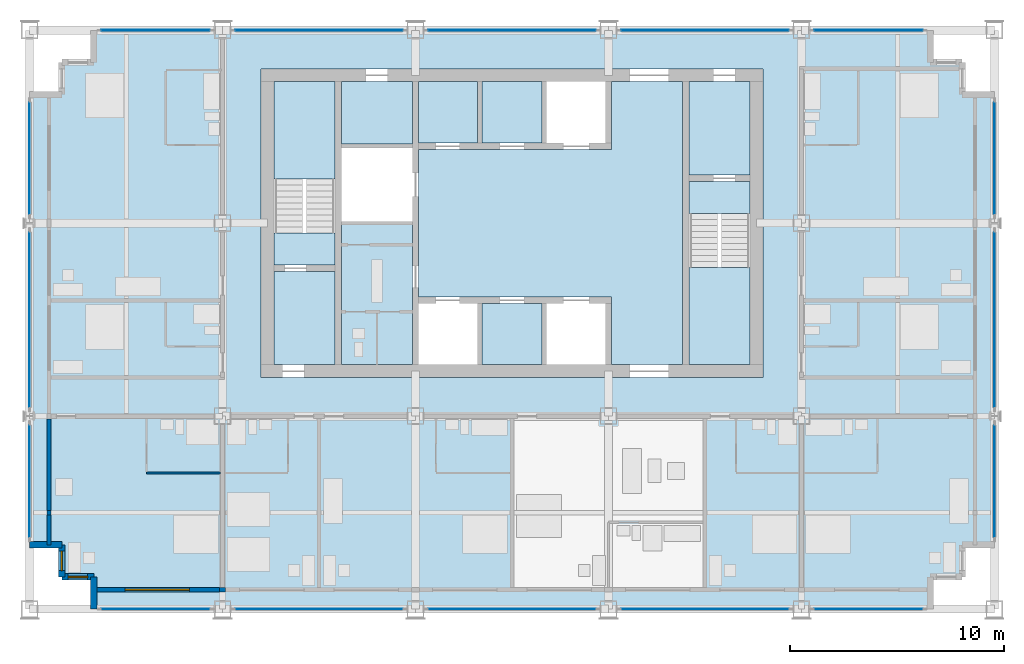
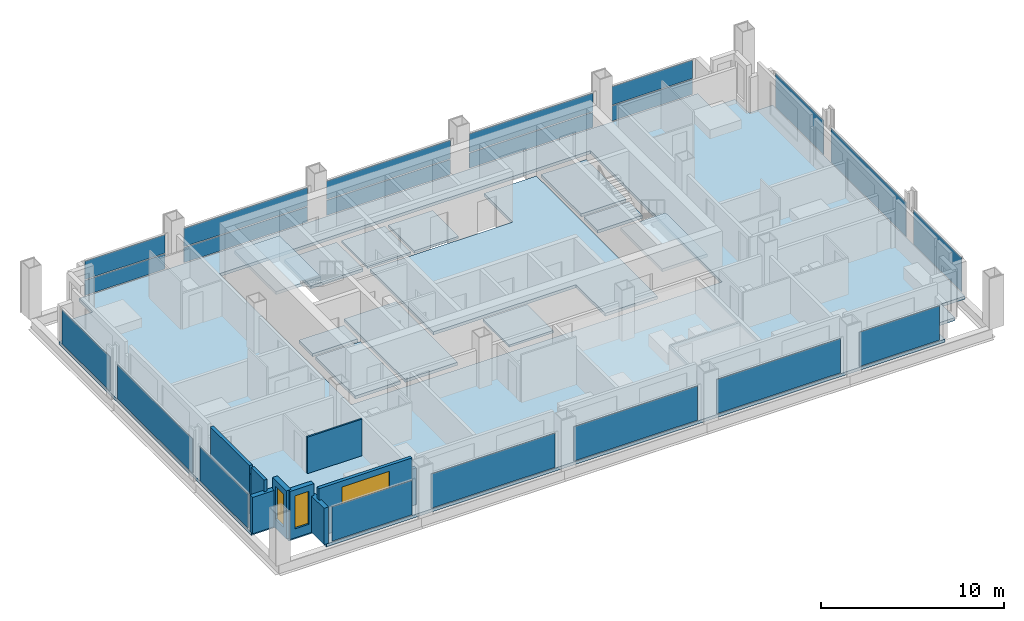
# One storey, part 6 of 13: 21 plates, 13 slabs, 10 walls, 3 windows, 3 openings, 18 elements without a shape of their own.
"""IFC4 building model written with IfcOpenShell, lengths in metres."""

from ifc_helpers import new_model, si_unit, direction, frame, frame_2d, origin, origin_2d, place, context, subcontext, project, spatial, polyline, rectangle, outline, extrude, material, layer, layer_set, type_object, element, fill, aggregate, save


model = new_model("IFC4")

# Units and contexts
model_context = context("Model", 3, precision=1e-05, world=origin(), true_north=direction((0.0, 1.0)))
body_context = subcontext(model_context, "Body", "Model", "MODEL_VIEW")
ifc_project = project(units=[si_unit("LENGTHUNIT", "METRE"), si_unit("AREAUNIT", "SQUARE_METRE"), si_unit("VOLUMEUNIT", "CUBIC_METRE"), si_unit("PLANEANGLEUNIT", "RADIAN"), si_unit("MASSUNIT", "GRAM", prefix="KILO")], contexts=[model_context])

# Site, building, storey
site_placement = place(None, origin())
site = spatial("IfcSite", under=ifc_project, at=site_placement, CompositionType="ELEMENT")
building_placement = place(site_placement, origin())
building = spatial("IfcBuilding", under=site, at=building_placement, Name="Loomwork Tower", CompositionType="ELEMENT")
storey_placement = place(building_placement, frame((0.0, 0.0, 211.39990234375)))
storey = spatial("IfcBuildingStorey", under=building, at=storey_placement, Name="L58", CompositionType="ELEMENT", Elevation=211.39990234375)

# Slabs
ifc_material_1 = material(Name="Concrete 5000 psi (34 MPa) on composite metal deck", Category="concrete")
ifc_layer_1 = layer(ifc_material_1, 0.199951171875)
ifc_layer_set_1 = layer_set([ifc_layer_1], Name="Floor slab 200")
slab_type_1 = type_object("IfcSlabType", Name="Floor slab 200", PredefinedType="FLOOR", material=ifc_layer_set_1)
slab_1_placement = place(storey_placement, frame((0.0, 0.0, -0.199951171875)))
element("IfcSlab", 1, at=slab_1_placement, inside=storey, type_object=slab_type_1, Name="Floor slab L58", PredefinedType="FLOOR", context=body_context, shape_type="SweptSolid", body=[
    extrude(outline(polyline([(3.0, 1.5), (1.5, 1.5), (1.5, 3.0), (0.0, 3.0), (0.0, 24.0), (1.5, 24.0), (1.5, 25.5), (3.0, 25.5), (3.0, 27.0), (42.0, 27.0), (42.0, 25.5), (43.5, 25.5), (43.5, 24.0), (45.0, 24.0), (45.0, 3.0), (43.5, 3.0), (43.5, 1.5), (42.0, 1.5), (42.0, 0.0), (3.0, 0.0), (3.0, 1.5)]), holes=[polyline([(10.800048828125, 11.39990234375), (10.800048828125, 11.39990234375), (10.800048828125, 10.800048828125), (34.199951171875, 10.800048828125), (34.199951171875, 11.39990234375), (34.199951171875, 11.39990234375), (34.199951171875, 24.60009765625), (34.199951171875, 25.199951171875), (10.800048828125, 25.199951171875), (10.800048828125, 24.60009765625), (10.800048828125, 11.39990234375)])]), origin(), (0.0, 0.0, 1.0), 0.199951171875),
])
slab_2_placement = place(storey_placement, frame((0.0, 0.0, -0.199951171875)))
element("IfcSlab", 2, at=slab_2_placement, inside=storey, type_object=slab_type_1, Name="Floor slab L58", PredefinedType="FLOOR", context=body_context, shape_type="SweptSolid", body=[
    extrude(outline(polyline([(30.449951171875, 24.60009765625), (30.449951171875, 11.39990234375), (27.14990234375, 11.39990234375), (27.14990234375, 14.25), (27.14990234375, 14.550048828125), (18.14990234375, 14.550048828125), (18.14990234375, 21.449951171875), (27.14990234375, 21.449951171875), (27.14990234375, 21.75), (27.14990234375, 24.60009765625), (30.449951171875, 24.60009765625)])), origin(), (0.0, 0.0, 1.0), 0.199951171875),
])
slab_3_placement = place(storey_placement, frame((0.0, 0.0, -0.199951171875)))
element("IfcSlab", 3, at=slab_3_placement, inside=storey, type_object=slab_type_1, Name="Floor slab L58", PredefinedType="FLOOR", context=body_context, shape_type="SweptSolid", body=[
    extrude(outline(polyline([(14.550048828125, 11.39990234375), (14.550048828125, 18.074951171875), (17.85009765625, 18.074951171875), (17.85009765625, 11.39990234375), (14.550048828125, 11.39990234375)])), origin(), (0.0, 0.0, 1.0), 0.199951171875),
])
slab_4_placement = place(storey_placement, frame((0.0, 0.0, -0.199951171875)))
element("IfcSlab", 4, at=slab_4_placement, inside=storey, type_object=slab_type_1, Name="Floor slab L58", PredefinedType="FLOOR", context=body_context, shape_type="SweptSolid", body=[
    extrude(outline(polyline([(33.60009765625, 20.25), (30.75, 20.25), (30.75, 24.60009765625), (33.60009765625, 24.60009765625), (33.60009765625, 20.25)])), origin(), (0.0, 0.0, 1.0), 0.199951171875),
])
slab_5_placement = place(storey_placement, frame((0.0, 0.0, -0.199951171875)))
element("IfcSlab", 5, at=slab_5_placement, inside=storey, type_object=slab_type_1, Name="Floor slab L58", PredefinedType="FLOOR", context=body_context, shape_type="SweptSolid", body=[
    extrude(outline(polyline([(14.25, 15.75), (14.25, 11.39990234375), (11.39990234375, 11.39990234375), (11.39990234375, 15.75), (14.25, 15.75)])), origin(), (0.0, 0.0, 1.0), 0.199951171875),
])
slab_6_placement = place(storey_placement, frame((0.0, 0.0, -0.199951171875)))
element("IfcSlab", 6, at=slab_6_placement, inside=storey, type_object=slab_type_1, Name="Floor slab L58", PredefinedType="FLOOR", context=body_context, shape_type="SweptSolid", body=[
    extrude(outline(polyline([(14.550048828125, 21.699951171875), (14.550048828125, 24.60009765625), (17.85009765625, 24.60009765625), (17.85009765625, 21.699951171875), (14.550048828125, 21.699951171875)])), origin(), (0.0, 0.0, 1.0), 0.199951171875),
])

# Curtain wall, plate
ifc_material_2 = material(Name="Aluminium curtain wall frame", Category="aluminium")
curtain_wall_type_1 = type_object("IfcCurtainWallType", Name="Outer skin glazing hotel", PredefinedType="NOTDEFINED", material=ifc_material_2)
curtain_wall_1_placement = place(storey_placement, origin())
curtain_wall_1 = element("IfcCurtainWall", 7, at=curtain_wall_1_placement, inside=storey, type_object=curtain_wall_type_1, Name="Outer skin glazing hotel cw/S-0", PredefinedType="NOTDEFINED")
ifc_material_3 = material(Name="Clear laminated glass", Category="glass")
ifc_layer_2 = layer(ifc_material_3, 0.02392578125)
ifc_layer_set_2 = layer_set([ifc_layer_2], Name="Outer skin glazing hotel panel")
plate_type_1 = type_object("IfcPlateType", Name="Outer skin glazing hotel panel", PredefinedType="CURTAIN_PANEL", material=ifc_layer_set_2)
plate_1_placement = place(storey_placement, frame((5.875, 0.0, 0.06494140625), z_axis=(0.0, 0.0, 1.0), x_axis=(1.0, 0.0, 0.0)))
plate_1 = element("IfcPlate", 8, at=plate_1_placement, type_object=plate_type_1, Name="CW1 panel 1.1", PredefinedType="CURTAIN_PANEL", context=body_context, shape_type="SweptSolid", body=[
    extrude(rectangle(XDim=5.050048828125, YDim=0.02392578125, at=origin_2d()), origin(), (0.0, 0.0, 1.0), 2.290283203125),
])
aggregate(curtain_wall_1, [plate_1])

curtain_wall_2_placement = place(storey_placement, origin())
curtain_wall_2 = element("IfcCurtainWall", 9, at=curtain_wall_2_placement, inside=storey, type_object=curtain_wall_type_1, Name="Outer skin glazing hotel cw/S-9", PredefinedType="NOTDEFINED")
plate_2_placement = place(storey_placement, frame((13.5, 0.0, 0.06494140625), z_axis=(0.0, 0.0, 1.0), x_axis=(1.0, 0.0, 0.0)))
plate_2 = element("IfcPlate", 10, at=plate_2_placement, type_object=plate_type_1, Name="CW1 panel 1.1", PredefinedType="CURTAIN_PANEL", context=body_context, shape_type="SweptSolid", body=[
    extrude(rectangle(XDim=7.800048828125, YDim=0.02392578125, at=origin_2d()), origin(), (0.0, 0.0, 1.0), 2.290283203125),
])
aggregate(curtain_wall_2, [plate_2])

curtain_wall_3_placement = place(storey_placement, origin())
curtain_wall_3 = element("IfcCurtainWall", 11, at=curtain_wall_3_placement, inside=storey, type_object=curtain_wall_type_1, Name="Outer skin glazing hotel cw/S-18", PredefinedType="NOTDEFINED")
plate_3_placement = place(storey_placement, frame((22.5, 0.0, 0.06494140625), z_axis=(0.0, 0.0, 1.0), x_axis=(1.0, 0.0, 0.0)))
plate_3 = element("IfcPlate", 12, at=plate_3_placement, type_object=plate_type_1, Name="CW1 panel 1.1", PredefinedType="CURTAIN_PANEL", context=body_context, shape_type="SweptSolid", body=[
    extrude(rectangle(XDim=7.800048828125, YDim=0.02392578125, at=origin_2d()), origin(), (0.0, 0.0, 1.0), 2.290283203125),
])
aggregate(curtain_wall_3, [plate_3])

curtain_wall_4_placement = place(storey_placement, origin())
curtain_wall_4 = element("IfcCurtainWall", 13, at=curtain_wall_4_placement, inside=storey, type_object=curtain_wall_type_1, Name="Outer skin glazing hotel cw/S-27", PredefinedType="NOTDEFINED")
plate_4_placement = place(storey_placement, frame((31.5, 0.0, 0.06494140625), z_axis=(0.0, 0.0, 1.0), x_axis=(1.0, 0.0, 0.0)))
plate_4 = element("IfcPlate", 14, at=plate_4_placement, type_object=plate_type_1, Name="CW1 panel 1.1", PredefinedType="CURTAIN_PANEL", context=body_context, shape_type="SweptSolid", body=[
    extrude(rectangle(XDim=7.800048828125, YDim=0.02392578125, at=origin_2d()), origin(), (0.0, 0.0, 1.0), 2.290283203125),
])
aggregate(curtain_wall_4, [plate_4])

curtain_wall_5_placement = place(storey_placement, origin())
curtain_wall_5 = element("IfcCurtainWall", 15, at=curtain_wall_5_placement, inside=storey, type_object=curtain_wall_type_1, Name="Outer skin glazing hotel cw/S-36", PredefinedType="NOTDEFINED")
plate_5_placement = place(storey_placement, frame((39.125, 0.0, 0.06494140625), z_axis=(0.0, 0.0, 1.0), x_axis=(1.0, 0.0, 0.0)))
plate_5 = element("IfcPlate", 16, at=plate_5_placement, type_object=plate_type_1, Name="CW1 panel 1.1", PredefinedType="CURTAIN_PANEL", context=body_context, shape_type="SweptSolid", body=[
    extrude(rectangle(XDim=5.050048828125, YDim=0.02392578125, at=origin_2d()), origin(), (0.0, 0.0, 1.0), 2.290283203125),
])
aggregate(curtain_wall_5, [plate_5])

curtain_wall_6_placement = place(storey_placement, origin())
curtain_wall_6 = element("IfcCurtainWall", 17, at=curtain_wall_6_placement, inside=storey, type_object=curtain_wall_type_1, Name="Outer skin glazing hotel cw/W-0", PredefinedType="NOTDEFINED")
plate_6_placement = place(storey_placement, frame((0.0, 5.96826171875, 0.06494140625), z_axis=(0.0, 0.0, 1.0), x_axis=(0.0, -1.0, 0.0)))
plate_6 = element("IfcPlate", 18, at=plate_6_placement, type_object=plate_type_1, Name="CW1 panel 1.1", PredefinedType="CURTAIN_PANEL", context=body_context, shape_type="SweptSolid", body=[
    extrude(rectangle(XDim=5.236572265625, YDim=0.02392578125, at=origin_2d()), origin(), (0.0, 0.0, 1.0), 2.290283203125),
])
aggregate(curtain_wall_6, [plate_6])

curtain_wall_7_placement = place(storey_placement, origin())
curtain_wall_7 = element("IfcCurtainWall", 19, at=curtain_wall_7_placement, inside=storey, type_object=curtain_wall_type_1, Name="Outer skin glazing hotel cw/W-9", PredefinedType="NOTDEFINED")
plate_7_placement = place(storey_placement, frame((0.0, 13.5, 0.06494140625), z_axis=(0.0, 0.0, 1.0), x_axis=(0.0, -1.0, 0.0)))
plate_7 = element("IfcPlate", 20, at=plate_7_placement, type_object=plate_type_1, Name="CW1 panel 1.1", PredefinedType="CURTAIN_PANEL", context=body_context, shape_type="SweptSolid", body=[
    extrude(rectangle(XDim=8.173095703125, YDim=0.02392578125, at=origin_2d()), origin(), (0.0, 0.0, 1.0), 2.290283203125),
])
aggregate(curtain_wall_7, [plate_7])

curtain_wall_8_placement = place(storey_placement, origin())
curtain_wall_8 = element("IfcCurtainWall", 21, at=curtain_wall_8_placement, inside=storey, type_object=curtain_wall_type_1, Name="Outer skin glazing hotel cw/W-18", PredefinedType="NOTDEFINED")
plate_8_placement = place(storey_placement, frame((0.0, 21.03173828125, 0.06494140625), z_axis=(0.0, 0.0, 1.0), x_axis=(0.0, -1.0, 0.0)))
plate_8 = element("IfcPlate", 22, at=plate_8_placement, type_object=plate_type_1, Name="CW1 panel 1.1", PredefinedType="CURTAIN_PANEL", context=body_context, shape_type="SweptSolid", body=[
    extrude(rectangle(XDim=5.236572265625, YDim=0.02392578125, at=origin_2d()), origin(), (0.0, 0.0, 1.0), 2.290283203125),
])
aggregate(curtain_wall_8, [plate_8])

curtain_wall_9_placement = place(storey_placement, origin())
curtain_wall_9 = element("IfcCurtainWall", 23, at=curtain_wall_9_placement, inside=storey, type_object=curtain_wall_type_1, Name="Outer skin glazing hotel cw/E-0", PredefinedType="NOTDEFINED")
plate_9_placement = place(storey_placement, frame((45.0, 5.96826171875, 0.06494140625), z_axis=(0.0, 0.0, 1.0), x_axis=(0.0, 1.0, 0.0)))
plate_9 = element("IfcPlate", 24, at=plate_9_placement, type_object=plate_type_1, Name="CW1 panel 1.1", PredefinedType="CURTAIN_PANEL", context=body_context, shape_type="SweptSolid", body=[
    extrude(rectangle(XDim=5.236572265625, YDim=0.02392578125, at=origin_2d()), origin(), (0.0, 0.0, 1.0), 2.290283203125),
])
aggregate(curtain_wall_9, [plate_9])

curtain_wall_10_placement = place(storey_placement, origin())
curtain_wall_10 = element("IfcCurtainWall", 25, at=curtain_wall_10_placement, inside=storey, type_object=curtain_wall_type_1, Name="Outer skin glazing hotel cw/E-9", PredefinedType="NOTDEFINED")
plate_10_placement = place(storey_placement, frame((45.0, 13.5, 0.06494140625), z_axis=(0.0, 0.0, 1.0), x_axis=(0.0, 1.0, 0.0)))
plate_10 = element("IfcPlate", 26, at=plate_10_placement, type_object=plate_type_1, Name="CW1 panel 1.1", PredefinedType="CURTAIN_PANEL", context=body_context, shape_type="SweptSolid", body=[
    extrude(rectangle(XDim=8.173095703125, YDim=0.02392578125, at=origin_2d()), origin(), (0.0, 0.0, 1.0), 2.290283203125),
])
aggregate(curtain_wall_10, [plate_10])

curtain_wall_11_placement = place(storey_placement, origin())
curtain_wall_11 = element("IfcCurtainWall", 27, at=curtain_wall_11_placement, inside=storey, type_object=curtain_wall_type_1, Name="Outer skin glazing hotel cw/E-18", PredefinedType="NOTDEFINED")
plate_11_placement = place(storey_placement, frame((45.0, 21.03173828125, 0.06494140625), z_axis=(0.0, 0.0, 1.0), x_axis=(0.0, 1.0, 0.0)))
plate_11 = element("IfcPlate", 28, at=plate_11_placement, type_object=plate_type_1, Name="CW1 panel 1.1", PredefinedType="CURTAIN_PANEL", context=body_context, shape_type="SweptSolid", body=[
    extrude(rectangle(XDim=5.236572265625, YDim=0.02392578125, at=origin_2d()), origin(), (0.0, 0.0, 1.0), 2.290283203125),
])
aggregate(curtain_wall_11, [plate_11])

# Slabs
ifc_material_4 = material(Name="Concrete 5000 psi (34 MPa) on composite metal deck", Category="concrete")
ifc_layer_3 = layer(ifc_material_4, 0.14990234375)
ifc_layer_set_3 = layer_set([ifc_layer_3], Name="Shaft infill floor 150")
slab_type_2 = type_object("IfcSlabType", Name="Shaft infill floor 150", PredefinedType="FLOOR", material=ifc_layer_set_3)
slab_7_placement = place(storey_placement, frame((0.0, 0.0, -0.14990234375)))
element("IfcSlab", 29, at=slab_7_placement, inside=storey, type_object=slab_type_2, Name="Shaft infill floor LS1 L58", PredefinedType="FLOOR", context=body_context, shape_type="SweptSolid", body=[
    extrude(outline(polyline([(18.14990234375, 21.75), (20.89990234375, 21.75), (20.89990234375, 24.60009765625), (18.14990234375, 24.60009765625), (18.14990234375, 21.75)])), origin(), (0.0, 0.0, 1.0), 0.14990234375),
])
slab_8_placement = place(storey_placement, frame((0.0, 0.0, -0.14990234375)))
element("IfcSlab", 30, at=slab_8_placement, inside=storey, type_object=slab_type_2, Name="Shaft infill floor LS2 L58", PredefinedType="FLOOR", context=body_context, shape_type="SweptSolid", body=[
    extrude(outline(polyline([(21.10009765625, 21.75), (23.89990234375, 21.75), (23.89990234375, 24.60009765625), (21.10009765625, 24.60009765625), (21.10009765625, 21.75)])), origin(), (0.0, 0.0, 1.0), 0.14990234375),
])
slab_9_placement = place(storey_placement, frame((0.0, 0.0, -0.14990234375)))
element("IfcSlab", 31, at=slab_9_placement, inside=storey, type_object=slab_type_2, Name="Shaft infill floor S2 L58", PredefinedType="FLOOR", context=body_context, shape_type="SweptSolid", body=[
    extrude(outline(polyline([(21.10009765625, 11.39990234375), (23.89990234375, 11.39990234375), (23.89990234375, 14.25), (21.10009765625, 14.25), (21.10009765625, 11.39990234375)])), origin(), (0.0, 0.0, 1.0), 0.14990234375),
])

# Curtain wall, plates
ifc_material_5 = material(Name="Aluminium curtain wall frame", Category="aluminium")
curtain_wall_type_2 = type_object("IfcCurtainWallType", Name="Single skin glazing corridor", PredefinedType="NOTDEFINED", material=ifc_material_5)
curtain_wall_12_placement = place(storey_placement, origin())
curtain_wall_12 = element("IfcCurtainWall", 32, at=curtain_wall_12_placement, inside=storey, type_object=curtain_wall_type_2, Name="Single skin glazing corridor cw/N-0", PredefinedType="NOTDEFINED")
ifc_material_6 = material(Name="Clear insulated glass", Category="glass")
ifc_layer_4 = layer(ifc_material_6, 0.031982421875)
ifc_layer_set_4 = layer_set([ifc_layer_4], Name="Single skin glazing corridor panel")
plate_type_2 = type_object("IfcPlateType", Name="Single skin glazing corridor panel", PredefinedType="CURTAIN_PANEL", material=ifc_layer_set_4)
plate_12_placement = place(storey_placement, frame((5.875, 27.0, 0.065185546875), z_axis=(0.0, 0.0, 1.0), x_axis=(-1.0, 0.0, 0.0)))
plate_12 = element("IfcPlate", 33, at=plate_12_placement, type_object=plate_type_2, Name="CW3 panel 1.1", PredefinedType="CURTAIN_PANEL", context=body_context, shape_type="SweptSolid", body=[
    extrude(rectangle(XDim=5.050048828125, YDim=0.031982421875, at=origin_2d()), origin(), (0.0, 0.0, 1.0), 1.00244140625),
])
plate_13_placement = place(storey_placement, frame((5.875, 27.0, 1.132568359375), z_axis=(0.0, 0.0, 1.0), x_axis=(-1.0, 0.0, 0.0)))
plate_13 = element("IfcPlate", 34, at=plate_13_placement, type_object=plate_type_2, Name="CW3 panel 1.2", PredefinedType="CURTAIN_PANEL", context=body_context, shape_type="SweptSolid", body=[
    extrude(rectangle(XDim=5.050048828125, YDim=0.031982421875, at=origin_2d()), origin(), (0.0, 0.0, 1.0), 1.22265625),
])
aggregate(curtain_wall_12, [plate_12, plate_13])

curtain_wall_13_placement = place(storey_placement, origin())
curtain_wall_13 = element("IfcCurtainWall", 35, at=curtain_wall_13_placement, inside=storey, type_object=curtain_wall_type_2, Name="Single skin glazing corridor cw/N-9", PredefinedType="NOTDEFINED")
plate_14_placement = place(storey_placement, frame((13.5, 27.0, 0.065185546875), z_axis=(0.0, 0.0, 1.0), x_axis=(-1.0, 0.0, 0.0)))
plate_14 = element("IfcPlate", 36, at=plate_14_placement, type_object=plate_type_2, Name="CW3 panel 1.1", PredefinedType="CURTAIN_PANEL", context=body_context, shape_type="SweptSolid", body=[
    extrude(rectangle(XDim=7.800048828125, YDim=0.031982421875, at=origin_2d()), origin(), (0.0, 0.0, 1.0), 1.00244140625),
])
plate_15_placement = place(storey_placement, frame((13.5, 27.0, 1.132568359375), z_axis=(0.0, 0.0, 1.0), x_axis=(-1.0, 0.0, 0.0)))
plate_15 = element("IfcPlate", 37, at=plate_15_placement, type_object=plate_type_2, Name="CW3 panel 1.2", PredefinedType="CURTAIN_PANEL", context=body_context, shape_type="SweptSolid", body=[
    extrude(rectangle(XDim=7.800048828125, YDim=0.031982421875, at=origin_2d()), origin(), (0.0, 0.0, 1.0), 1.22265625),
])
aggregate(curtain_wall_13, [plate_14, plate_15])

curtain_wall_14_placement = place(storey_placement, origin())
curtain_wall_14 = element("IfcCurtainWall", 38, at=curtain_wall_14_placement, inside=storey, type_object=curtain_wall_type_2, Name="Single skin glazing corridor cw/N-18", PredefinedType="NOTDEFINED")
plate_16_placement = place(storey_placement, frame((22.5, 27.0, 0.065185546875), z_axis=(0.0, 0.0, 1.0), x_axis=(-1.0, 0.0, 0.0)))
plate_16 = element("IfcPlate", 39, at=plate_16_placement, type_object=plate_type_2, Name="CW3 panel 1.1", PredefinedType="CURTAIN_PANEL", context=body_context, shape_type="SweptSolid", body=[
    extrude(rectangle(XDim=7.800048828125, YDim=0.031982421875, at=origin_2d()), origin(), (0.0, 0.0, 1.0), 1.00244140625),
])
plate_17_placement = place(storey_placement, frame((22.5, 27.0, 1.132568359375), z_axis=(0.0, 0.0, 1.0), x_axis=(-1.0, 0.0, 0.0)))
plate_17 = element("IfcPlate", 40, at=plate_17_placement, type_object=plate_type_2, Name="CW3 panel 1.2", PredefinedType="CURTAIN_PANEL", context=body_context, shape_type="SweptSolid", body=[
    extrude(rectangle(XDim=7.800048828125, YDim=0.031982421875, at=origin_2d()), origin(), (0.0, 0.0, 1.0), 1.22265625),
])
aggregate(curtain_wall_14, [plate_16, plate_17])

curtain_wall_15_placement = place(storey_placement, origin())
curtain_wall_15 = element("IfcCurtainWall", 41, at=curtain_wall_15_placement, inside=storey, type_object=curtain_wall_type_2, Name="Single skin glazing corridor cw/N-27", PredefinedType="NOTDEFINED")
plate_18_placement = place(storey_placement, frame((31.5, 27.0, 0.065185546875), z_axis=(0.0, 0.0, 1.0), x_axis=(-1.0, 0.0, 0.0)))
plate_18 = element("IfcPlate", 42, at=plate_18_placement, type_object=plate_type_2, Name="CW3 panel 1.1", PredefinedType="CURTAIN_PANEL", context=body_context, shape_type="SweptSolid", body=[
    extrude(rectangle(XDim=7.800048828125, YDim=0.031982421875, at=origin_2d()), origin(), (0.0, 0.0, 1.0), 1.00244140625),
])
plate_19_placement = place(storey_placement, frame((31.5, 27.0, 1.132568359375), z_axis=(0.0, 0.0, 1.0), x_axis=(-1.0, 0.0, 0.0)))
plate_19 = element("IfcPlate", 43, at=plate_19_placement, type_object=plate_type_2, Name="CW3 panel 1.2", PredefinedType="CURTAIN_PANEL", context=body_context, shape_type="SweptSolid", body=[
    extrude(rectangle(XDim=7.800048828125, YDim=0.031982421875, at=origin_2d()), origin(), (0.0, 0.0, 1.0), 1.22265625),
])
aggregate(curtain_wall_15, [plate_18, plate_19])

curtain_wall_16_placement = place(storey_placement, origin())
curtain_wall_16 = element("IfcCurtainWall", 44, at=curtain_wall_16_placement, inside=storey, type_object=curtain_wall_type_2, Name="Single skin glazing corridor cw/N-36", PredefinedType="NOTDEFINED")
plate_20_placement = place(storey_placement, frame((39.125, 27.0, 0.065185546875), z_axis=(0.0, 0.0, 1.0), x_axis=(-1.0, 0.0, 0.0)))
plate_20 = element("IfcPlate", 45, at=plate_20_placement, type_object=plate_type_2, Name="CW3 panel 1.1", PredefinedType="CURTAIN_PANEL", context=body_context, shape_type="SweptSolid", body=[
    extrude(rectangle(XDim=5.050048828125, YDim=0.031982421875, at=origin_2d()), origin(), (0.0, 0.0, 1.0), 1.00244140625),
])
plate_21_placement = place(storey_placement, frame((39.125, 27.0, 1.132568359375), z_axis=(0.0, 0.0, 1.0), x_axis=(-1.0, 0.0, 0.0)))
plate_21 = element("IfcPlate", 46, at=plate_21_placement, type_object=plate_type_2, Name="CW3 panel 1.2", PredefinedType="CURTAIN_PANEL", context=body_context, shape_type="SweptSolid", body=[
    extrude(rectangle(XDim=5.050048828125, YDim=0.031982421875, at=origin_2d()), origin(), (0.0, 0.0, 1.0), 1.22265625),
])
aggregate(curtain_wall_16, [plate_20, plate_21])

# Stair, slabs
ifc_material_7 = material(Name="Concrete 5000 psi (34 MPa) precast stair", Category="concrete")
stair_type_1 = type_object("IfcStairType", Name="Stair ST-A 20 risers 2850 wide", PredefinedType="HALF_TURN_STAIR", material=ifc_material_7)
stair_1_placement = place(storey_placement, origin())
stair_1 = element("IfcStair", 47, at=stair_1_placement, inside=storey, type_object=stair_type_1, Name="Stair A L58", PredefinedType="HALF_TURN_STAIR")
ifc_material_8 = material(Name="Concrete 5000 psi (34 MPa)", Category="concrete")
ifc_layer_5 = layer(ifc_material_8, 0.199951171875)
ifc_layer_set_5 = layer_set([ifc_layer_5], Name="Stair landing 200")
slab_type_3 = type_object("IfcSlabType", Name="Stair landing 200", PredefinedType="LANDING", material=ifc_layer_set_5)
slab_10_placement = place(storey_placement, frame((0.0, 0.0, -0.199951171875)))
slab_10 = element("IfcSlab", 48, at=slab_10_placement, type_object=slab_type_3, Name="ST-A landing 1", PredefinedType="LANDING", context=body_context, shape_type="SweptSolid", body=[
    extrude(outline(polyline([(11.39990234375, 16.050048828125), (14.25, 16.050048828125), (14.25, 17.550048828125), (11.39990234375, 17.550048828125), (11.39990234375, 16.050048828125)])), origin(), (0.0, 0.0, 1.0), 0.199951171875),
])
slab_11_placement = place(storey_placement, frame((0.0, 0.0, 1.5)))
slab_11 = element("IfcSlab", 49, at=slab_11_placement, type_object=slab_type_3, Name="ST-A landing 2", PredefinedType="LANDING", context=body_context, shape_type="SweptSolid", body=[
    extrude(outline(polyline([(11.39990234375, 20.070068359375), (14.25, 20.070068359375), (14.25, 24.60009765625), (11.39990234375, 24.60009765625), (11.39990234375, 20.070068359375)])), origin(), (0.0, 0.0, 1.0), 0.2001953125),
])
aggregate(stair_1, [slab_10, slab_11])

ifc_material_9 = material(Name="Concrete 5000 psi (34 MPa) precast stair", Category="concrete")
stair_type_2 = type_object("IfcStairType", Name="Stair ST-B 20 risers 2850 wide", PredefinedType="HALF_TURN_STAIR", material=ifc_material_9)
stair_2_placement = place(storey_placement, origin())
stair_2 = element("IfcStair", 50, at=stair_2_placement, inside=storey, type_object=stair_type_2, Name="Stair B L58", PredefinedType="HALF_TURN_STAIR")
slab_12_placement = place(storey_placement, frame((0.0, 0.0, -0.199951171875)))
slab_12 = element("IfcSlab", 51, at=slab_12_placement, type_object=slab_type_3, Name="ST-B landing 1", PredefinedType="LANDING", context=body_context, shape_type="SweptSolid", body=[
    extrude(outline(polyline([(30.75, 18.449951171875), (33.60009765625, 18.449951171875), (33.60009765625, 19.949951171875), (30.75, 19.949951171875), (30.75, 18.449951171875)])), origin(), (0.0, 0.0, 1.0), 0.199951171875),
])
slab_13_placement = place(storey_placement, frame((0.0, 0.0, 1.5)))
slab_13 = element("IfcSlab", 52, at=slab_13_placement, type_object=slab_type_3, Name="ST-B landing 2", PredefinedType="LANDING", context=body_context, shape_type="SweptSolid", body=[
    extrude(outline(polyline([(30.75, 11.39990234375), (33.60009765625, 11.39990234375), (33.60009765625, 15.929931640625), (30.75, 15.929931640625), (30.75, 11.39990234375)])), origin(), (0.0, 0.0, 1.0), 0.2001953125),
])
aggregate(stair_2, [slab_12, slab_13])

# Wall
ifc_material_10 = material(Name="Cement board on steel studs", Category="steel")
ifc_layer_6 = layer(ifc_material_10, 0.10009765625)
ifc_layer_set_6 = layer_set([ifc_layer_6], Name="En-suite partition 100")
wall_type_1 = type_object("IfcWallType", Name="En-suite partition 100", PredefinedType="PARTITIONING", material=ifc_layer_set_6)
wall_1_placement = place(storey_placement, frame((5.449951171875, 6.35009765625, 0.0), z_axis=(0.0, 0.0, 1.0), x_axis=(1.0, 0.0, 0.0)))
element("IfcWall", 53, at=wall_1_placement, inside=storey, type_object=wall_type_1, Name="En-suite wall L58 room 1", PredefinedType="PARTITIONING", context=body_context, shape_type="SweptSolid", body=[
    extrude(rectangle(XDim=3.449951171875, YDim=0.10009765625, at=frame_2d((1.72509765625, 0.0))), origin(), (0.0, 0.0, 1.0), 2.43798828125),
])

# Wall, opening, window
ifc_material_11 = material(Name="Insulated steel stud wall with gypsum lining", Category="steel")
ifc_layer_7 = layer(ifc_material_11, 0.199951171875)
ifc_layer_set_7 = layer_set([ifc_layer_7], Name="Inner skin wall 200")
wall_type_2 = type_object("IfcWallType", Name="Inner skin wall 200", PredefinedType="SOLIDWALL", material=ifc_layer_set_7)
wall_2_placement = place(storey_placement, frame((3.0, 0.89990234375, 0.0), z_axis=(0.0, 0.0, 1.0), x_axis=(1.0, 0.0, 0.0)))
wall_2 = element("IfcWall", 54, at=wall_2_placement, inside=storey, type_object=wall_type_2, Name="Inner skin wall S", PredefinedType="SOLIDWALL", context=body_context, shape_type="SweptSolid", body=[
    extrude(rectangle(XDim=5.86474609375, YDim=0.199951171875, at=frame_2d((2.932373046875, 0.0))), origin(), (0.0, 0.0, 1.0), 3.2001953125),
])
opening_1_placement = place(wall_2_placement, frame((1.449951171875, 0.0, 0.60009765625)))
opening_1 = element("IfcOpeningElement", 55, at=opening_1_placement, cuts=wall_2, Name="Opening CH1", PredefinedType="OPENING", context=body_context, shape_type="SweptSolid", body=[
    extrude(rectangle(XDim=3.0, YDim=2.199951171875, at=frame_2d((1.5, 1.10009765625))), frame((0.0, 0.10986328125, 0.0), z_axis=(0.0, -1.0, 0.0), x_axis=(1.0, 0.0, 0.0)), (0.0, 0.0, 1.0), 0.219970703125),
])
ifc_material_12 = material(Name="Aluminium frame with clear insulated glass", Category="aluminium")
window_type_1 = type_object("IfcWindowType", Name="Chicago window 3000", PartitioningType="TRIPLE_PANEL_VERTICAL", PredefinedType="WINDOW", material=ifc_material_12)
window_1_placement = place(opening_1_placement, origin())
window_1 = element("IfcWindow", 56, at=window_1_placement, inside=storey, type_object=window_type_1, Name="Chicago window L58 bay 1", OverallHeight=2.199951171875, OverallWidth=3.0, PartitioningType="TRIPLE_PANEL_VERTICAL", PredefinedType="WINDOW", context=body_context, shape_type="SweptSolid", body=[
    extrude(rectangle(XDim=3.0, YDim=2.199951171875, at=frame_2d((1.5, 1.10009765625))), frame((0.0, 0.030029296875, 0.0), z_axis=(0.0, -1.0, 0.0), x_axis=(1.0, 0.0, 0.0)), (0.0, 0.0, 1.0), 0.06005859375),
])
fill(opening_1, window_1)

# Walls
wall_3_placement = place(storey_placement, frame((0.89990234375, 3.0, 0.0), z_axis=(0.0, 0.0, 1.0), x_axis=(0.0, 1.0, 0.0)))
element("IfcWall", 57, at=wall_3_placement, inside=storey, type_object=wall_type_2, Name="Inner skin wall W", PredefinedType="SOLIDWALL", context=body_context, shape_type="SweptSolid", body=[
    extrude(rectangle(XDim=1.392578125, YDim=0.199951171875, at=frame_2d((0.6962890625, 0.0))), origin(), (0.0, 0.0, 1.0), 3.2001953125),
])
wall_4_placement = place(storey_placement, frame((8.86474609375, 0.89990234375, 0.0), z_axis=(0.0, 0.0, 1.0), x_axis=(1.0, 0.0, 0.0)))
element("IfcWall", 58, at=wall_4_placement, inside=storey, type_object=wall_type_2, Name="Inner skin wall S bay 2", PredefinedType="SOLIDWALL", context=body_context, shape_type="SweptSolid", body=[
    extrude(rectangle(XDim=0.2705078125, YDim=0.199951171875, at=frame_2d((0.13525390625, 0.0))), origin(), (0.0, 0.0, 1.0), 2.43798828125),
])
wall_5_placement = place(storey_placement, frame((0.89990234375, 4.392578125, 0.0), z_axis=(0.0, 0.0, 1.0), x_axis=(0.0, 1.0, 0.0)))
element("IfcWall", 59, at=wall_5_placement, inside=storey, type_object=wall_type_2, Name="Inner skin wall W bay 2", PredefinedType="SOLIDWALL", context=body_context, shape_type="SweptSolid", body=[
    extrude(rectangle(XDim=0.21484375, YDim=0.199951171875, at=frame_2d((0.107421875, 0.0))), origin(), (0.0, 0.0, 1.0), 2.6611328125),
])
wall_6_placement = place(storey_placement, frame((0.89990234375, 4.607421875, 0.0), z_axis=(0.0, 0.0, 1.0), x_axis=(0.0, 1.0, 0.0)))
element("IfcWall", 60, at=wall_6_placement, inside=storey, type_object=wall_type_2, Name="Inner skin wall W bay 3", PredefinedType="SOLIDWALL", context=body_context, shape_type="SweptSolid", body=[
    extrude(rectangle(XDim=4.25732421875, YDim=0.199951171875, at=frame_2d((2.128662109375, 0.0))), origin(), (0.0, 0.0, 1.0), 3.2001953125),
])
ifc_material_13 = material(Name="Limestone on concrete masonry", Category="masonry")
ifc_layer_8 = layer(ifc_material_13, 0.300048828125)
ifc_layer_set_8 = layer_set([ifc_layer_8], Name="Limestone corner wall 300")
wall_type_3 = type_object("IfcWallType", Name="Limestone corner wall 300", PredefinedType="SOLIDWALL", material=ifc_layer_set_8)
wall_7_placement = place(storey_placement, frame((0.0, 3.0, 0.0), z_axis=(0.0, 0.0, 1.0), x_axis=(1.0, 0.0, 0.0)))
element("IfcWall", 61, at=wall_7_placement, inside=storey, type_object=wall_type_3, Name="Stone corner wall SW 1", PredefinedType="SOLIDWALL", context=body_context, shape_type="SweptSolid", body=[
    extrude(rectangle(XDim=1.5, YDim=0.300048828125, at=frame_2d((0.75, 0.0))), origin(), (0.0, 0.0, 1.0), 2.420166015625),
])

# Wall, opening, window
wall_8_placement = place(storey_placement, frame((1.5, 3.0, 0.0), z_axis=(0.0, 0.0, 1.0), x_axis=(0.0, -1.0, 0.0)))
wall_8 = element("IfcWall", 62, at=wall_8_placement, inside=storey, type_object=wall_type_3, Name="Stone corner wall SW 2", PredefinedType="SOLIDWALL", context=body_context, shape_type="SweptSolid", body=[
    extrude(rectangle(XDim=1.5, YDim=0.300048828125, at=frame_2d((0.75, 0.0))), origin(), (0.0, 0.0, 1.0), 3.2001953125),
])
opening_2_placement = place(wall_8_placement, frame((0.300048828125, 0.0, 0.60009765625)))
opening_2 = element("IfcOpeningElement", 63, at=opening_2_placement, cuts=wall_8, Name="Opening CH2", PredefinedType="OPENING", context=body_context, shape_type="SweptSolid", body=[
    extrude(rectangle(XDim=0.89990234375, YDim=2.199951171875, at=frame_2d((0.449951171875, 1.10009765625))), frame((0.0, 0.159912109375, 0.0), z_axis=(0.0, -1.0, 0.0), x_axis=(1.0, 0.0, 0.0)), (0.0, 0.0, 1.0), 0.320068359375),
])
ifc_material_14 = material(Name="Aluminium frame with clear insulated glass", Category="aluminium")
window_type_2 = type_object("IfcWindowType", Name="Corner window 900", PartitioningType="SINGLE_PANEL", PredefinedType="WINDOW", material=ifc_material_14)
window_2_placement = place(opening_2_placement, origin())
window_2 = element("IfcWindow", 64, at=window_2_placement, inside=storey, type_object=window_type_2, Name="Corner window SW", OverallHeight=2.199951171875, OverallWidth=0.89990234375, PartitioningType="SINGLE_PANEL", PredefinedType="WINDOW", context=body_context, shape_type="SweptSolid", body=[
    extrude(rectangle(XDim=0.89990234375, YDim=2.199951171875, at=frame_2d((0.449951171875, 1.10009765625))), frame((0.0, 0.030029296875, 0.0), z_axis=(0.0, -1.0, 0.0), x_axis=(1.0, 0.0, 0.0)), (0.0, 0.0, 1.0), 0.06005859375),
])
fill(opening_2, window_2)

wall_9_placement = place(storey_placement, frame((1.5, 1.5, 0.0), z_axis=(0.0, 0.0, 1.0), x_axis=(1.0, 0.0, 0.0)))
wall_9 = element("IfcWall", 65, at=wall_9_placement, inside=storey, type_object=wall_type_3, Name="Stone corner wall SW 3", PredefinedType="SOLIDWALL", context=body_context, shape_type="SweptSolid", body=[
    extrude(rectangle(XDim=1.5, YDim=0.300048828125, at=frame_2d((0.75, 0.0))), origin(), (0.0, 0.0, 1.0), 3.2001953125),
])
opening_3_placement = place(wall_9_placement, frame((0.300048828125, 0.0, 0.60009765625)))
opening_3 = element("IfcOpeningElement", 66, at=opening_3_placement, cuts=wall_9, Name="Opening CH2", PredefinedType="OPENING", context=body_context, shape_type="SweptSolid", body=[
    extrude(rectangle(XDim=0.89990234375, YDim=2.199951171875, at=frame_2d((0.449951171875, 1.10009765625))), frame((0.0, 0.159912109375, 0.0), z_axis=(0.0, -1.0, 0.0), x_axis=(1.0, 0.0, 0.0)), (0.0, 0.0, 1.0), 0.320068359375),
])
window_3_placement = place(opening_3_placement, origin())
window_3 = element("IfcWindow", 67, at=window_3_placement, inside=storey, type_object=window_type_2, Name="Corner window SW", OverallHeight=2.199951171875, OverallWidth=0.89990234375, PartitioningType="SINGLE_PANEL", PredefinedType="WINDOW", context=body_context, shape_type="SweptSolid", body=[
    extrude(rectangle(XDim=0.89990234375, YDim=2.199951171875, at=frame_2d((0.449951171875, 1.10009765625))), frame((0.0, 0.030029296875, 0.0), z_axis=(0.0, -1.0, 0.0), x_axis=(1.0, 0.0, 0.0)), (0.0, 0.0, 1.0), 0.06005859375),
])
fill(opening_3, window_3)

# Wall
wall_10_placement = place(storey_placement, frame((3.0, 1.5, 0.0), z_axis=(0.0, 0.0, 1.0), x_axis=(0.0, -1.0, 0.0)))
element("IfcWall", 68, at=wall_10_placement, inside=storey, type_object=wall_type_3, Name="Stone corner wall SW 4", PredefinedType="SOLIDWALL", context=body_context, shape_type="SweptSolid", body=[
    extrude(rectangle(XDim=1.5, YDim=0.300048828125, at=frame_2d((0.75, 0.0))), origin(), (0.0, 0.0, 1.0), 2.420166015625),
])

save(model, "model.ifc")
